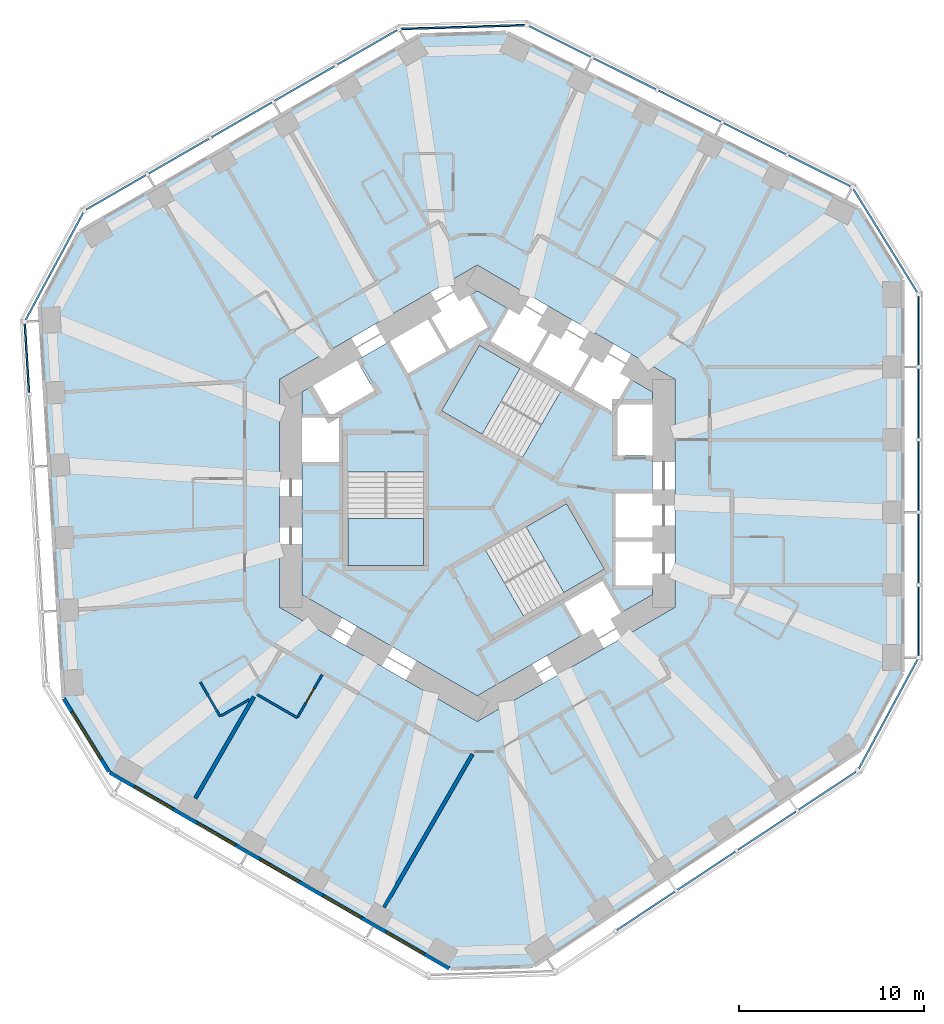
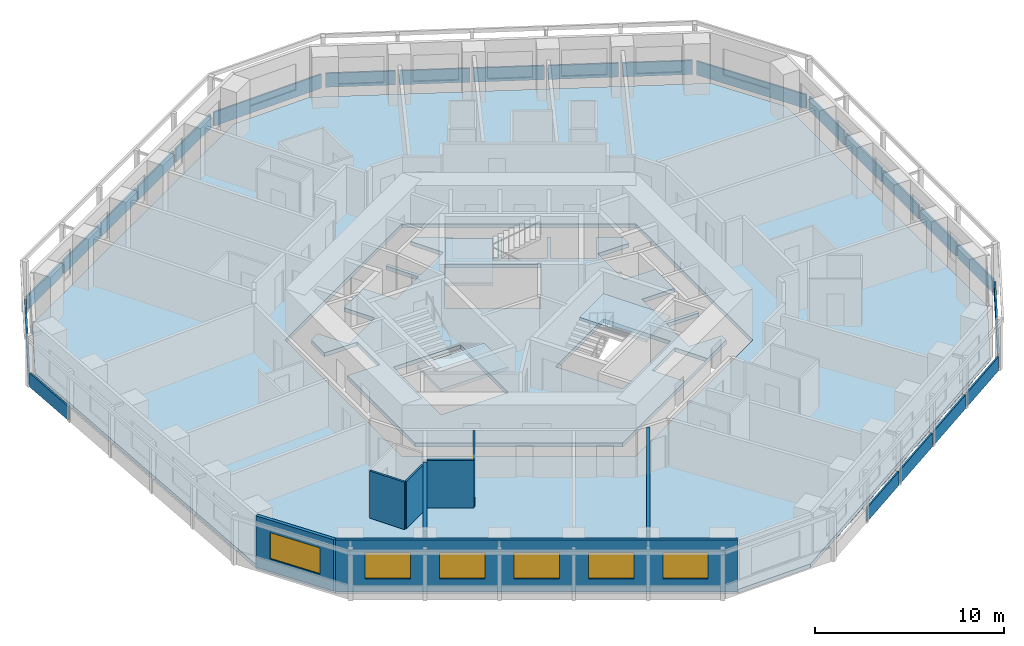
# One storey, part 3 of 12: 24 plates, 8 walls, 6 windows, 5 slabs, 1 door, 7 openings, 12 elements without a shape of their own.
"""IFC4 building model written with IfcOpenShell, lengths in metres."""

from ifc_helpers import new_model, si_unit, direction, frame, frame_2d, origin, origin_2d, place, context, subcontext, project, spatial, polyline, rectangle, outline, extrude, material, layer, layer_set, type_object, element, fill, aggregate, save


model = new_model("IFC4")

# Units and contexts
model_context = context("Model", 3, precision=1e-05, world=origin(), true_north=direction((0.0, 1.0)))
body_context = subcontext(model_context, "Body", "Model", "MODEL_VIEW")
ifc_project = project(units=[si_unit("LENGTHUNIT", "METRE"), si_unit("AREAUNIT", "SQUARE_METRE"), si_unit("VOLUMEUNIT", "CUBIC_METRE"), si_unit("PLANEANGLEUNIT", "RADIAN"), si_unit("MASSUNIT", "GRAM", prefix="KILO")], contexts=[model_context])

# Site, building, storey
site_placement = place(None, origin())
site = spatial("IfcSite", under=ifc_project, at=site_placement, CompositionType="ELEMENT")
building_placement = place(site_placement, origin())
building = spatial("IfcBuilding", under=site, at=building_placement, Name="Vanh Sen Convention Tower", CompositionType="ELEMENT")
storey_placement = place(building_placement, frame((0.0, 0.0, 67.10009765625)))
storey = spatial("IfcBuildingStorey", under=building, at=storey_placement, Name="L14", CompositionType="ELEMENT", Elevation=67.10009765625)

# Slabs
ifc_material_1 = material(Name="Concrete C40/50", Category="concrete")
ifc_layer_1 = layer(ifc_material_1, 0.25)
ifc_layer_set_1 = layer_set([ifc_layer_1], Name="Concrete C40/50")
slab_type_1 = type_object("IfcSlabType", Name="Core slab 250", PredefinedType="FLOOR", material=ifc_layer_set_1)
slab_1_placement = place(storey_placement, frame((0.0, 0.0, -0.25)))
element("IfcSlab", 1, at=slab_1_placement, inside=storey, type_object=slab_type_1, Name="Core slab L14", PredefinedType="FLOOR", context=body_context, shape_type="SweptSolid", body=[
    extrude(outline(polyline([(9.5, 5.48486328125), (9.5, 4.800048828125), (7.60009765625, 4.800048828125), (7.60009765625, 2.050048828125), (9.5, 2.050048828125), (9.5, 0.0), (7.5, 0.0), (7.5, -2.39990234375), (9.5, -2.39990234375), (9.5, -2.60009765625), (7.5, -2.60009765625), (7.5, -5.0), (9.5, -5.0), (9.5, -5.48486328125), (0.0, -10.9697265625), (-9.5, -5.48486328125), (-9.5, 1.699951171875), (-7.5, 1.699951171875), (-7.5, 4.10009765625), (-9.5, 4.10009765625), (-9.5, 5.48486328125), (-8.906982421875, 5.8271484375), (-7.956787109375, 4.181884765625), (-5.575439453125, 5.556884765625), (-6.525390625, 7.2021484375), (-4.75, 8.227294921875), (-3.75, 6.4951171875), (-1.67138671875, 7.6953125), (-2.67138671875, 9.42724609375), (-2.498291015625, 9.527099609375), (-1.498291015625, 7.795166015625), (0.580078125, 8.9951171875), (-0.419921875, 10.727294921875), (0.0, 10.9697265625), (1.718994140625, 9.977294921875), (0.718994140625, 8.2451171875), (2.79736328125, 7.045166015625), (3.79736328125, 8.777099609375), (3.970703125, 8.67724609375), (2.970703125, 6.9453125), (5.049072265625, 5.7451171875), (6.049072265625, 7.477294921875), (6.22216796875, 7.377197265625), (5.22216796875, 5.645263671875), (7.30078125, 4.4453125), (8.30078125, 6.17724609375), (9.5, 5.48486328125)]), holes=[polyline([(-7.0, 3.14990234375), (-7.0, -3.909912109375), (-2.89990234375, -3.909912109375), (-2.89990234375, 3.14990234375), (-2.89990234375, 1.1494140625), (-7.0, 1.1494140625), (-7.0, 3.14990234375)]), polyline([(4.495361328125, 5.487548828125), (6.22802734375, 4.4873046875), (0.11376953125, 8.01708984375), (-1.936279296875, 4.466552734375), (2.4453125, 1.936767578125), (4.495361328125, 5.487548828125)]), polyline([(7.781005859375, -6.477294921875), (6.781005859375, -4.7451171875), (4.70263671875, -5.9453125), (5.70263671875, -7.67724609375), (7.781005859375, -6.477294921875)]), polyline([(0.45458984375, -3.086181640625), (2.504638671875, -6.63671875), (6.88623046875, -4.107177734375), (4.836181640625, -0.556396484375), (-1.278076171875, -4.08642578125), (0.45458984375, -3.086181640625)])]), origin(), (0.0, 0.0, 1.0), 0.25),
])
ifc_layer_2 = layer(ifc_material_1, 0.25)
ifc_layer_set_2 = layer_set([ifc_layer_2], Name="Concrete C40/50")
slab_type_2 = type_object("IfcSlabType", Name="Floor slab 250 REI 120", PredefinedType="FLOOR", material=ifc_layer_set_2)
slab_2_placement = place(storey_placement, frame((0.0, 0.0, -0.25)))
element("IfcSlab", 2, at=slab_2_placement, inside=storey, type_object=slab_type_2, Name="Floor slab L14 tower", PredefinedType="FLOOR", context=body_context, shape_type="SweptSolid", body=[
    extrude(outline(polyline([(23.0, -9.69921875), (23.0, 11.57373046875), (20.620361328125, 15.419189453125), (1.58251953125, 24.911376953125), (-3.10009765625, 24.768310546875), (-21.523193359375, 14.131591796875), (-23.663818359375, 10.14794921875), (-22.364990234375, -11.085205078125), (-19.89990234375, -15.069091796875), (-1.476806640625, -25.705322265625), (3.04345703125, -25.5673828125), (20.78271484375, -13.825927734375), (23.0, -9.69921875)]), holes=[polyline([(0.0, 12.355224609375), (-10.699951171875, 6.177490234375), (-10.699951171875, -6.177490234375), (0.0, -12.355224609375), (10.699951171875, -6.177490234375), (10.699951171875, 6.177490234375), (0.0, 12.355224609375)])]), origin(), (0.0, 0.0, 1.0), 0.25),
])

# Curtain wall, plates
ifc_material_2 = material(Name="Concrete C50/60", Category="concrete")
curtain_wall_type = type_object("IfcCurtainWallType", Name="Outer skin hotel zone", PredefinedType="NOTDEFINED", material=ifc_material_2)
curtain_wall_1_placement = place(storey_placement, origin())
curtain_wall_1 = element("IfcCurtainWall", 3, at=curtain_wall_1_placement, inside=storey, type_object=curtain_wall_type, Name="OUTER SKIN E L14", PredefinedType="NOTDEFINED")
ifc_layer_3 = layer(ifc_material_2, 0.10009765625)
ifc_layer_set_3 = layer_set([ifc_layer_3], Name="Concrete C50/60")
plate_type = type_object("IfcPlateType", Name="Outer skin precast screen panel 100", PredefinedType="CURTAIN_PANEL", material=ifc_layer_set_3)
plate_1_placement = place(storey_placement, frame((23.89990234375, -6.91943359375, 0.0), z_axis=(0.0, 0.0, 1.0), x_axis=(0.0, 1.0, 0.0)))
plate_1 = element("IfcPlate", 4, at=plate_1_placement, type_object=plate_type, Name="OUTER SKIN screen panel E-1", PredefinedType="CURTAIN_PANEL", context=body_context, shape_type="SweptSolid", body=[
    extrude(rectangle(XDim=3.709716796875, YDim=0.10009765625, at=origin_2d()), origin(), (0.0, 0.0, 1.0), 0.89990234375),
])
plate_2_placement = place(storey_placement, frame((23.89990234375, -2.997314453125, 0.0), z_axis=(0.0, 0.0, 1.0), x_axis=(0.0, 1.0, 0.0)))
plate_2 = element("IfcPlate", 5, at=plate_2_placement, type_object=plate_type, Name="OUTER SKIN screen panel E-2", PredefinedType="CURTAIN_PANEL", context=body_context, shape_type="SweptSolid", body=[
    extrude(rectangle(XDim=3.734619140625, YDim=0.10009765625, at=origin_2d()), origin(), (0.0, 0.0, 1.0), 0.89990234375),
])
plate_3_placement = place(storey_placement, frame((23.89990234375, 0.937255859375, 0.0), z_axis=(0.0, 0.0, 1.0), x_axis=(0.0, 1.0, 0.0)))
plate_3 = element("IfcPlate", 6, at=plate_3_placement, type_object=plate_type, Name="OUTER SKIN screen panel E-3", PredefinedType="CURTAIN_PANEL", context=body_context, shape_type="SweptSolid", body=[
    extrude(rectangle(XDim=3.734619140625, YDim=0.10009765625, at=origin_2d()), origin(), (0.0, 0.0, 1.0), 0.89990234375),
])
plate_4_placement = place(storey_placement, frame((23.89990234375, 4.871826171875, 0.0), z_axis=(0.0, 0.0, 1.0), x_axis=(0.0, 1.0, 0.0)))
plate_4 = element("IfcPlate", 7, at=plate_4_placement, type_object=plate_type, Name="OUTER SKIN screen panel E-4", PredefinedType="CURTAIN_PANEL", context=body_context, shape_type="SweptSolid", body=[
    extrude(rectangle(XDim=3.734619140625, YDim=0.10009765625, at=origin_2d()), origin(), (0.0, 0.0, 1.0), 0.89990234375),
])
plate_5_placement = place(storey_placement, frame((23.89990234375, 8.7939453125, 0.0), z_axis=(0.0, 0.0, 1.0), x_axis=(0.0, 1.0, 0.0)))
plate_5 = element("IfcPlate", 8, at=plate_5_placement, type_object=plate_type, Name="OUTER SKIN screen panel E-5", PredefinedType="CURTAIN_PANEL", context=body_context, shape_type="SweptSolid", body=[
    extrude(rectangle(XDim=3.709716796875, YDim=0.10009765625, at=origin_2d()), origin(), (0.0, 0.0, 1.0), 0.89990234375),
])
aggregate(curtain_wall_1, [plate_1, plate_2, plate_3, plate_4, plate_5])

# Curtain wall, plate
curtain_wall_2_placement = place(storey_placement, origin())
curtain_wall_2 = element("IfcCurtainWall", 9, at=curtain_wall_2_placement, inside=storey, type_object=curtain_wall_type, Name="OUTER SKIN CH1 L14", PredefinedType="NOTDEFINED")
plate_6_placement = place(storey_placement, frame((22.102783203125, 13.677734375, 0.0), z_axis=(0.0, 0.0, 1.0), x_axis=(-0.526212439506, 0.850353143411, 0.0)))
plate_6 = element("IfcPlate", 10, at=plate_6_placement, type_object=plate_type, Name="OUTER SKIN screen panel CH1-1", PredefinedType="CURTAIN_PANEL", context=body_context, shape_type="SweptSolid", body=[
    extrude(rectangle(XDim=6.580078125, YDim=0.10009765625, at=origin_2d()), origin(), (0.0, 0.0, 1.0), 0.89990234375),
])
aggregate(curtain_wall_2, [plate_6])

# Curtain wall, plates
curtain_wall_3_placement = place(storey_placement, origin())
curtain_wall_3 = element("IfcCurtainWall", 11, at=curtain_wall_3_placement, inside=storey, type_object=curtain_wall_type, Name="OUTER SKIN NE L14", PredefinedType="NOTDEFINED")
plate_7_placement = place(storey_placement, frame((18.5341796875, 17.465087890625, 0.0), z_axis=(0.0, 0.0, 1.0), x_axis=(-0.894935140363, 0.446196251154, 0.0)))
plate_7 = element("IfcPlate", 12, at=plate_7_placement, type_object=plate_type, Name="OUTER SKIN screen panel NE-1", PredefinedType="CURTAIN_PANEL", context=body_context, shape_type="SweptSolid", body=[
    extrude(rectangle(XDim=3.709716796875, YDim=0.10009765625, at=origin_2d()), origin(), (0.0, 0.0, 1.0), 0.89990234375),
])
plate_8_placement = place(storey_placement, frame((15.024169921875, 19.215087890625, 0.0), z_axis=(0.0, 0.0, 1.0), x_axis=(-0.894935140363, 0.446196251154, 0.0)))
plate_8 = element("IfcPlate", 13, at=plate_8_placement, type_object=plate_type, Name="OUTER SKIN screen panel NE-2", PredefinedType="CURTAIN_PANEL", context=body_context, shape_type="SweptSolid", body=[
    extrude(rectangle(XDim=3.734619140625, YDim=0.10009765625, at=origin_2d()), origin(), (0.0, 0.0, 1.0), 0.89990234375),
])
plate_9_placement = place(storey_placement, frame((11.5029296875, 20.970703125, 0.0), z_axis=(0.0, 0.0, 1.0), x_axis=(-0.894935140363, 0.446196251154, 0.0)))
plate_9 = element("IfcPlate", 14, at=plate_9_placement, type_object=plate_type, Name="OUTER SKIN screen panel NE-3", PredefinedType="CURTAIN_PANEL", context=body_context, shape_type="SweptSolid", body=[
    extrude(rectangle(XDim=3.734619140625, YDim=0.10009765625, at=origin_2d()), origin(), (0.0, 0.0, 1.0), 0.89990234375),
])
plate_10_placement = place(storey_placement, frame((7.981689453125, 22.726318359375, 0.0), z_axis=(0.0, 0.0, 1.0), x_axis=(-0.894935140363, 0.446196251154, 0.0)))
plate_10 = element("IfcPlate", 15, at=plate_10_placement, type_object=plate_type, Name="OUTER SKIN screen panel NE-4", PredefinedType="CURTAIN_PANEL", context=body_context, shape_type="SweptSolid", body=[
    extrude(rectangle(XDim=3.734619140625, YDim=0.10009765625, at=origin_2d()), origin(), (0.0, 0.0, 1.0), 0.89990234375),
])
plate_11_placement = place(storey_placement, frame((4.4716796875, 24.476318359375, 0.0), z_axis=(0.0, 0.0, 1.0), x_axis=(-0.894935140363, 0.446196251154, 0.0)))
plate_11 = element("IfcPlate", 16, at=plate_11_placement, type_object=plate_type, Name="OUTER SKIN screen panel NE-5", PredefinedType="CURTAIN_PANEL", context=body_context, shape_type="SweptSolid", body=[
    extrude(rectangle(XDim=3.709716796875, YDim=0.10009765625, at=origin_2d()), origin(), (0.0, 0.0, 1.0), 0.89990234375),
])
aggregate(curtain_wall_3, [plate_7, plate_8, plate_9, plate_10, plate_11])

# Curtain wall, plate
curtain_wall_4_placement = place(storey_placement, origin())
curtain_wall_4 = element("IfcCurtainWall", 17, at=curtain_wall_4_placement, inside=storey, type_object=curtain_wall_type, Name="OUTER SKIN CH2 L14", PredefinedType="NOTDEFINED")
plate_12_placement = place(storey_placement, frame((-0.771484375, 25.253662109375, 0.0), z_axis=(0.0, 0.0, 1.0), x_axis=(-0.999533644135, -0.030536768695, 0.0)))
plate_12 = element("IfcPlate", 18, at=plate_12_placement, type_object=plate_type, Name="OUTER SKIN screen panel CH2-1", PredefinedType="CURTAIN_PANEL", context=body_context, shape_type="SweptSolid", body=[
    extrude(rectangle(XDim=6.696044921875, YDim=0.10009765625, at=origin_2d()), origin(), (0.0, 0.0, 1.0), 0.89990234375),
])
aggregate(curtain_wall_4, [plate_12])

# Curtain wall, plates
curtain_wall_5_placement = place(storey_placement, origin())
curtain_wall_5 = element("IfcCurtainWall", 19, at=curtain_wall_5_placement, inside=storey, type_object=curtain_wall_type, Name="OUTER SKIN NW L14", PredefinedType="NOTDEFINED")
plate_13_placement = place(storey_placement, frame((-5.95751953125, 24.15771484375, 0.0), z_axis=(0.0, 0.0, 1.0), x_axis=(-0.866028021766, -0.499995465495, 0.0)))
plate_13 = element("IfcPlate", 20, at=plate_13_placement, type_object=plate_type, Name="OUTER SKIN screen panel NW-1", PredefinedType="CURTAIN_PANEL", context=body_context, shape_type="SweptSolid", body=[
    extrude(rectangle(XDim=3.709716796875, YDim=0.10009765625, at=origin_2d()), origin(), (0.0, 0.0, 1.0), 0.89990234375),
])
plate_14_placement = place(storey_placement, frame((-9.354248046875, 22.19677734375, 0.0), z_axis=(0.0, 0.0, 1.0), x_axis=(-0.866021040428, -0.500007557478, 0.0)))
plate_14 = element("IfcPlate", 21, at=plate_14_placement, type_object=plate_type, Name="OUTER SKIN screen panel NW-2", PredefinedType="CURTAIN_PANEL", context=body_context, shape_type="SweptSolid", body=[
    extrude(rectangle(XDim=3.734619140625, YDim=0.10009765625, at=origin_2d()), origin(), (0.0, 0.0, 1.0), 0.89990234375),
])
plate_15_placement = place(storey_placement, frame((-12.76171875, 20.2294921875, 0.0), z_axis=(0.0, 0.0, 1.0), x_axis=(-0.866028021766, -0.499995465495, 0.0)))
plate_15 = element("IfcPlate", 22, at=plate_15_placement, type_object=plate_type, Name="OUTER SKIN screen panel NW-3", PredefinedType="CURTAIN_PANEL", context=body_context, shape_type="SweptSolid", body=[
    extrude(rectangle(XDim=3.734619140625, YDim=0.10009765625, at=origin_2d()), origin(), (0.0, 0.0, 1.0), 0.89990234375),
])
plate_16_placement = place(storey_placement, frame((-16.169189453125, 18.26220703125, 0.0), z_axis=(0.0, 0.0, 1.0), x_axis=(-0.866028021766, -0.499995465495, 0.0)))
plate_16 = element("IfcPlate", 23, at=plate_16_placement, type_object=plate_type, Name="OUTER SKIN screen panel NW-4", PredefinedType="CURTAIN_PANEL", context=body_context, shape_type="SweptSolid", body=[
    extrude(rectangle(XDim=3.734619140625, YDim=0.10009765625, at=origin_2d()), origin(), (0.0, 0.0, 1.0), 0.89990234375),
])
plate_17_placement = place(storey_placement, frame((-19.56591796875, 16.301025390625, 0.0), z_axis=(0.0, 0.0, 1.0), x_axis=(-0.866021040428, -0.500007557478, 0.0)))
plate_17 = element("IfcPlate", 24, at=plate_17_placement, type_object=plate_type, Name="OUTER SKIN screen panel NW-5", PredefinedType="CURTAIN_PANEL", context=body_context, shape_type="SweptSolid", body=[
    extrude(rectangle(XDim=3.70947265625, YDim=0.10009765625, at=origin_2d()), origin(), (0.0, 0.0, 1.0), 0.89990234375),
])
aggregate(curtain_wall_5, [plate_13, plate_14, plate_15, plate_16, plate_17])

# Curtain wall, plate
curtain_wall_6_placement = place(storey_placement, origin())
curtain_wall_6 = element("IfcCurtainWall", 25, at=curtain_wall_6_placement, inside=storey, type_object=curtain_wall_type, Name="OUTER SKIN CH3 L14", PredefinedType="NOTDEFINED")
plate_18_placement = place(storey_placement, frame((-22.896728515625, 12.302978515625, 0.0), z_axis=(0.0, 0.0, 1.0), x_axis=(-0.47331812974, -0.880891564303, 0.0)))
plate_18 = element("IfcPlate", 26, at=plate_18_placement, type_object=plate_type, Name="OUTER SKIN screen panel CH3-1", PredefinedType="CURTAIN_PANEL", context=body_context, shape_type="SweptSolid", body=[
    extrude(rectangle(XDim=6.580078125, YDim=0.10009765625, at=origin_2d()), origin(), (0.0, 0.0, 1.0), 0.89990234375),
])
aggregate(curtain_wall_6, [plate_18])

curtain_wall_7_placement = place(storey_placement, origin())
curtain_wall_7 = element("IfcCurtainWall", 27, at=curtain_wall_7_placement, inside=storey, type_object=curtain_wall_type, Name="OUTER SKIN W L14", PredefinedType="NOTDEFINED")
plate_19_placement = place(storey_placement, frame((-24.39208984375, 7.318603515625, 0.0), z_axis=(0.0, 0.0, 1.0), x_axis=(0.061046797461, -0.99813490497, 0.0)))
plate_19 = element("IfcPlate", 28, at=plate_19_placement, type_object=plate_type, Name="OUTER SKIN screen panel W-1", PredefinedType="CURTAIN_PANEL", context=body_context, shape_type="SweptSolid", body=[
    extrude(rectangle(XDim=3.709716796875, YDim=0.10009765625, at=origin_2d()), origin(), (0.0, 0.0, 1.0), 0.89990234375),
])
aggregate(curtain_wall_7, [plate_19])

# Curtain wall, plates
curtain_wall_8_placement = place(storey_placement, origin())
curtain_wall_8 = element("IfcCurtainWall", 29, at=curtain_wall_8_placement, inside=storey, type_object=curtain_wall_type, Name="OUTER SKIN SE L14", PredefinedType="NOTDEFINED")
plate_20_placement = place(storey_placement, frame((9.128662109375, -22.618896484375, 0.0), z_axis=(0.0, 0.0, 1.0), x_axis=(0.833891601892, 0.55192825285, 0.0)))
plate_20 = element("IfcPlate", 30, at=plate_20_placement, type_object=plate_type, Name="OUTER SKIN screen panel SE-2", PredefinedType="CURTAIN_PANEL", context=body_context, shape_type="SweptSolid", body=[
    extrude(rectangle(XDim=3.734619140625, YDim=0.10009765625, at=origin_2d()), origin(), (0.0, 0.0, 1.0), 0.89990234375),
])
plate_21_placement = place(storey_placement, frame((12.40966796875, -20.447265625, 0.0), z_axis=(0.0, 0.0, 1.0), x_axis=(0.833880042151, 0.551945717714, 0.0)))
plate_21 = element("IfcPlate", 31, at=plate_21_placement, type_object=plate_type, Name="OUTER SKIN screen panel SE-3", PredefinedType="CURTAIN_PANEL", context=body_context, shape_type="SweptSolid", body=[
    extrude(rectangle(XDim=3.734619140625, YDim=0.10009765625, at=origin_2d()), origin(), (0.0, 0.0, 1.0), 0.89990234375),
])
plate_22_placement = place(storey_placement, frame((15.690673828125, -18.275390625, 0.0), z_axis=(0.0, 0.0, 1.0), x_axis=(0.833891601892, 0.55192825285, 0.0)))
plate_22 = element("IfcPlate", 32, at=plate_22_placement, type_object=plate_type, Name="OUTER SKIN screen panel SE-4", PredefinedType="CURTAIN_PANEL", context=body_context, shape_type="SweptSolid", body=[
    extrude(rectangle(XDim=3.734619140625, YDim=0.10009765625, at=origin_2d()), origin(), (0.0, 0.0, 1.0), 0.89990234375),
])
plate_23_placement = place(storey_placement, frame((18.961181640625, -16.11083984375, 0.0), z_axis=(0.0, 0.0, 1.0), x_axis=(0.833880042151, 0.551945717714, 0.0)))
plate_23 = element("IfcPlate", 33, at=plate_23_placement, type_object=plate_type, Name="OUTER SKIN screen panel SE-5", PredefinedType="CURTAIN_PANEL", context=body_context, shape_type="SweptSolid", body=[
    extrude(rectangle(XDim=3.709716796875, YDim=0.10009765625, at=origin_2d()), origin(), (0.0, 0.0, 1.0), 0.89990234375),
])
aggregate(curtain_wall_8, [plate_20, plate_21, plate_22, plate_23])

# Curtain wall, plate
curtain_wall_9_placement = place(storey_placement, origin())
curtain_wall_9 = element("IfcCurtainWall", 34, at=curtain_wall_9_placement, inside=storey, type_object=curtain_wall_type, Name="OUTER SKIN CH6 L14", PredefinedType="NOTDEFINED")
plate_24_placement = place(storey_placement, frame((22.256103515625, -11.95849609375, 0.0), z_axis=(0.0, 0.0, 1.0), x_axis=(0.473322742071, 0.880889086003, 0.0)))
plate_24 = element("IfcPlate", 35, at=plate_24_placement, type_object=plate_type, Name="OUTER SKIN screen panel CH6-1", PredefinedType="CURTAIN_PANEL", context=body_context, shape_type="SweptSolid", body=[
    extrude(rectangle(XDim=6.6962890625, YDim=0.10009765625, at=origin_2d()), origin(), (0.0, 0.0, 1.0), 0.89990234375),
])
aggregate(curtain_wall_9, [plate_24])

# Stair, slab
ifc_material_3 = material(Name="Concrete C50/60", Category="concrete")
stair_type_1 = type_object("IfcStairType", Name="Exit stair ST1 20 risers at 165.0", PredefinedType="HALF_TURN_STAIR", material=ifc_material_3)
stair_1_placement = place(storey_placement, origin())
stair_1 = element("IfcStair", 36, at=stair_1_placement, inside=storey, type_object=stair_type_1, Name="Exit stair ST1 L14", PredefinedType="HALF_TURN_STAIR")
ifc_layer_4 = layer(ifc_material_1, 0.199951171875)
ifc_layer_set_4 = layer_set([ifc_layer_4], Name="Concrete C40/50")
slab_type_3 = type_object("IfcSlabType", Name="Stair landing 200", PredefinedType="LANDING", material=ifc_layer_set_4)
slab_3_placement = place(storey_placement, frame((0.0, 0.0, 1.449951171875)))
slab_3 = element("IfcSlab", 37, at=slab_3_placement, type_object=slab_type_3, Name="ST1 landing 1", PredefinedType="LANDING", context=body_context, shape_type="SweptSolid", body=[
    extrude(outline(polyline([(2.314208984375, 6.746826171875), (0.11376953125, 8.01708984375), (-1.936279296875, 4.466552734375), (0.26416015625, 3.196044921875), (2.314208984375, 6.746826171875)])), origin(), (0.0, 0.0, 1.0), 0.199951171875),
])
aggregate(stair_1, [slab_3])

stair_type_2 = type_object("IfcStairType", Name="Exit stair ST2 20 risers at 165.0", PredefinedType="HALF_TURN_STAIR", material=ifc_material_3)
stair_2_placement = place(storey_placement, origin())
stair_2 = element("IfcStair", 38, at=stair_2_placement, inside=storey, type_object=stair_type_2, Name="Exit stair ST2 L14", PredefinedType="HALF_TURN_STAIR")
slab_4_placement = place(storey_placement, frame((0.0, 0.0, 1.449951171875)))
slab_4 = element("IfcSlab", 39, at=slab_4_placement, type_object=slab_type_3, Name="ST2 landing 1", PredefinedType="LANDING", context=body_context, shape_type="SweptSolid", body=[
    extrude(outline(polyline([(-7.0, -1.369384765625), (-7.0, -3.909912109375), (-2.89990234375, -3.909912109375), (-2.89990234375, -1.369384765625), (-7.0, -1.369384765625)])), origin(), (0.0, 0.0, 1.0), 0.199951171875),
])
aggregate(stair_2, [slab_4])

stair_type_3 = type_object("IfcStairType", Name="Exit stair ST3 20 risers at 165.0", PredefinedType="HALF_TURN_STAIR", material=ifc_material_3)
stair_3_placement = place(storey_placement, origin())
stair_3 = element("IfcStair", 40, at=stair_3_placement, inside=storey, type_object=stair_type_3, Name="Exit stair ST3 L14", PredefinedType="HALF_TURN_STAIR")
slab_5_placement = place(storey_placement, frame((0.0, 0.0, 1.449951171875)))
slab_5 = element("IfcSlab", 41, at=slab_5_placement, type_object=slab_type_3, Name="ST3 landing 1", PredefinedType="LANDING", context=body_context, shape_type="SweptSolid", body=[
    extrude(outline(polyline([(4.685791015625, -5.37744140625), (6.88623046875, -4.107177734375), (4.836181640625, -0.556396484375), (2.6357421875, -1.826904296875), (4.685791015625, -5.37744140625)])), origin(), (0.0, 0.0, 1.0), 0.199951171875),
])
aggregate(stair_3, [slab_5])

# Walls
ifc_material_4 = material(Name="Moisture-resistant gypsum board on steel studs", Category="steel")
ifc_layer_5 = layer(ifc_material_4, 0.1201171875)
ifc_layer_set_5 = layer_set([ifc_layer_5], Name="Moisture-resistant gypsum board on steel studs")
wall_type_1 = type_object("IfcWallType", Name="Bathroom partition 120", PredefinedType="PARTITIONING", material=ifc_layer_set_5)
wall_1_placement = place(storey_placement, frame((-13.92578125, -12.081298828125, 0.0), z_axis=(0.0, 0.0, 1.0), x_axis=(-0.499992422807, 0.866029778435, 0.0)))
element("IfcWall", 42, at=wall_1_placement, inside=storey, type_object=wall_type_1, Name="Bathroom partition 120", PredefinedType="PARTITIONING", context=body_context, shape_type="SweptSolid", body=[
    extrude(rectangle(XDim=2.1396484375, YDim=0.1201171875, at=frame_2d((1.06982421875, 0.0))), origin(), (0.0, 0.0, 1.0), 3.0498046875),
])
wall_2_placement = place(storey_placement, frame((-12.341552734375, -11.166748046875, 0.0), z_axis=(0.0, 0.0, 1.0), x_axis=(-0.865992557167, -0.500056887695, 0.0)))
element("IfcWall", 43, at=wall_2_placement, inside=storey, type_object=wall_type_1, Name="Bathroom partition 120", PredefinedType="PARTITIONING", context=body_context, shape_type="SweptSolid", body=[
    extrude(rectangle(XDim=1.769287109375, YDim=0.1201171875, at=frame_2d((0.884765625, 0.0))), origin(), (0.0, 0.0, 1.0), 3.0498046875),
])
wall_3_placement = place(storey_placement, frame((-9.747802734375, -12.154541015625, 0.0), z_axis=(0.0, 0.0, 1.0), x_axis=(-0.866022959057, 0.500004234368, 0.0)))
element("IfcWall", 44, at=wall_3_placement, inside=storey, type_object=wall_type_1, Name="Bathroom partition 120", PredefinedType="PARTITIONING", context=body_context, shape_type="SweptSolid", body=[
    extrude(rectangle(XDim=2.5, YDim=0.1201171875, at=frame_2d((1.25, 0.0))), origin(), (0.0, 0.0, 1.0), 3.0498046875),
])

# Wall, opening, door
wall_4_placement = place(storey_placement, frame((-8.397705078125, -9.816162109375, 0.0), z_axis=(0.0, 0.0, 1.0), x_axis=(-0.500007957085, -0.86602080971, 0.0)))
wall_4 = element("IfcWall", 45, at=wall_4_placement, inside=storey, type_object=wall_type_1, Name="Bathroom partition 120", PredefinedType="PARTITIONING", context=body_context, shape_type="SweptSolid", body=[
    extrude(rectangle(XDim=2.64013671875, YDim=0.1201171875, at=frame_2d((1.320068359375, 0.0))), origin(), (0.0, 0.0, 1.0), 3.0498046875),
])
opening_1_placement = place(wall_4_placement, frame((0.8701171875, 0.0, 0.0)))
opening_1 = element("IfcOpeningElement", 46, at=opening_1_placement, cuts=wall_4, Name="Opening D13125", PredefinedType="OPENING", context=body_context, shape_type="SweptSolid", body=[
    extrude(rectangle(XDim=0.89990234375, YDim=2.10009765625, at=frame_2d((0.449951171875, 1.050048828125))), frame((0.0, 0.070068359375, 0.0), z_axis=(0.0, -1.0, 0.0), x_axis=(1.0, 0.0, 0.0)), (0.0, 0.0, 1.0), 0.14013671875),
])
ifc_material_5 = material(Name="Laminate door in steel frame", Category="steel")
door_type = type_object("IfcDoorType", Name="En-suite door 900", OperationType="SINGLE_SWING_LEFT", PredefinedType="DOOR", material=ifc_material_5)
door_placement = place(opening_1_placement, origin())
door = element("IfcDoor", 47, at=door_placement, inside=storey, type_object=door_type, Name="En-suite door D13125", OperationType="SINGLE_SWING_LEFT", OverallHeight=2.10009765625, OverallWidth=0.89990234375, PredefinedType="DOOR", context=body_context, shape_type="SweptSolid", body=[
    extrude(rectangle(XDim=0.89990234375, YDim=2.10009765625, at=frame_2d((0.449951171875, 1.050048828125))), frame((0.0, 0.02490234375, 0.0), z_axis=(0.0, -1.0, 0.0), x_axis=(1.0, 0.0, 0.0)), (0.0, 0.0, 1.0), 0.050048828125),
])
fill(opening_1, door)

# Wall, opening, window
ifc_material_6 = material(Name="Insulated lightweight infill wall")
ifc_layer_6 = layer(ifc_material_6, 0.199951171875)
ifc_layer_set_6 = layer_set([ifc_layer_6], Name="Insulated lightweight infill wall")
wall_type_2 = type_object("IfcWallType", Name="External wall 200", PredefinedType="STANDARD", material=ifc_layer_set_6)
wall_5_placement = place(storey_placement, frame((-22.40087890625, -11.122314453125, 0.0), z_axis=(0.0, 0.0, 1.0), x_axis=(0.526197679914, -0.850362276711, 0.0)))
wall_5 = element("IfcWall", 48, at=wall_5_placement, inside=storey, type_object=wall_type_2, Name="External wall CH4 L14", PredefinedType="STANDARD", context=body_context, shape_type="SweptSolid", body=[
    extrude(rectangle(XDim=4.65966796875, YDim=0.199951171875, at=frame_2d((2.329833984375, 0.0))), origin(), (0.0, 0.0, 1.0), 3.2998046875),
])
opening_2_placement = place(wall_5_placement, frame((0.829833984375, 0.0, 0.800048828125)))
opening_2 = element("IfcOpeningElement", 49, at=opening_2_placement, cuts=wall_5, Name="Opening WH2-CH41", PredefinedType="OPENING", context=body_context, shape_type="SweptSolid", body=[
    extrude(rectangle(XDim=3.0, YDim=1.699951171875, at=frame_2d((1.5, 0.85009765625))), frame((0.0, 0.10986328125, 0.0), z_axis=(0.0, -1.0, 0.0), x_axis=(1.0, 0.0, 0.0)), (0.0, 0.0, 1.0), 0.219970703125),
])
ifc_material_7 = material(Name="Aluminium frame with clear low-emissivity glass", Category="aluminium")
window_type_1 = type_object("IfcWindowType", Name="Hotel window 3000 x 1700", PartitioningType="SINGLE_PANEL", PredefinedType="WINDOW", material=ifc_material_7)
window_1_placement = place(opening_2_placement, origin())
window_1 = element("IfcWindow", 50, at=window_1_placement, inside=storey, type_object=window_type_1, Name="Window WH2-CH41", OverallHeight=1.699951171875, OverallWidth=3.0, PartitioningType="SINGLE_PANEL", PredefinedType="WINDOW", context=body_context, shape_type="SweptSolid", body=[
    extrude(rectangle(XDim=3.0, YDim=1.699951171875, at=frame_2d((1.5, 0.85009765625))), frame((0.0, 0.030029296875, 0.0), z_axis=(0.0, -1.0, 0.0), x_axis=(1.0, 0.0, 0.0)), (0.0, 0.0, 1.0), 0.06005859375),
])
fill(opening_2, window_1)

# Wall, openings, windows
wall_6_placement = place(storey_placement, frame((-19.913818359375, -15.11865234375, 0.0), z_axis=(0.0, 0.0, 1.0), x_axis=(0.866025418898, -0.499999973822, 0.0)))
wall_6 = element("IfcWall", 51, at=wall_6_placement, inside=storey, type_object=wall_type_2, Name="External wall SW L14", PredefinedType="STANDARD", context=body_context, shape_type="SweptSolid", body=[
    extrude(rectangle(XDim=21.24609375, YDim=0.199951171875, at=frame_2d((10.623046875, 0.0))), origin(), (0.0, 0.0, 1.0), 3.2998046875),
])
opening_3_placement = place(wall_6_placement, frame((1.5546875, 0.0, 0.800048828125)))
opening_3 = element("IfcOpeningElement", 52, at=opening_3_placement, cuts=wall_6, Name="Opening WH1-SW1", PredefinedType="OPENING", context=body_context, shape_type="SweptSolid", body=[
    extrude(rectangle(XDim=2.39990234375, YDim=1.699951171875, at=frame_2d((1.199951171875, 0.85009765625))), frame((0.0, 0.10986328125, 0.0), z_axis=(0.0, -1.0, 0.0), x_axis=(1.0, 0.0, 0.0)), (0.0, 0.0, 1.0), 0.219970703125),
])
opening_4_placement = place(wall_6_placement, frame((5.4892578125, 0.0, 0.800048828125)))
opening_4 = element("IfcOpeningElement", 53, at=opening_4_placement, cuts=wall_6, Name="Opening WH1-SW2", PredefinedType="OPENING", context=body_context, shape_type="SweptSolid", body=[
    extrude(rectangle(XDim=2.39990234375, YDim=1.699951171875, at=frame_2d((1.199951171875, 0.85009765625))), frame((0.0, 0.10986328125, 0.0), z_axis=(0.0, -1.0, 0.0), x_axis=(1.0, 0.0, 0.0)), (0.0, 0.0, 1.0), 0.219970703125),
])
opening_5_placement = place(wall_6_placement, frame((9.423828125, 0.0, 0.800048828125)))
opening_5 = element("IfcOpeningElement", 54, at=opening_5_placement, cuts=wall_6, Name="Opening WH1-SW3", PredefinedType="OPENING", context=body_context, shape_type="SweptSolid", body=[
    extrude(rectangle(XDim=2.39990234375, YDim=1.699951171875, at=frame_2d((1.199951171875, 0.85009765625))), frame((0.0, 0.10986328125, 0.0), z_axis=(0.0, -1.0, 0.0), x_axis=(1.0, 0.0, 0.0)), (0.0, 0.0, 1.0), 0.219970703125),
])
opening_6_placement = place(wall_6_placement, frame((13.3583984375, 0.0, 0.800048828125)))
opening_6 = element("IfcOpeningElement", 55, at=opening_6_placement, cuts=wall_6, Name="Opening WH1-SW4", PredefinedType="OPENING", context=body_context, shape_type="SweptSolid", body=[
    extrude(rectangle(XDim=2.39990234375, YDim=1.699951171875, at=frame_2d((1.199951171875, 0.85009765625))), frame((0.0, 0.10986328125, 0.0), z_axis=(0.0, -1.0, 0.0), x_axis=(1.0, 0.0, 0.0)), (0.0, 0.0, 1.0), 0.219970703125),
])
opening_7_placement = place(wall_6_placement, frame((17.293212890625, 0.0, 0.800048828125)))
opening_7 = element("IfcOpeningElement", 56, at=opening_7_placement, cuts=wall_6, Name="Opening WH1-SW5", PredefinedType="OPENING", context=body_context, shape_type="SweptSolid", body=[
    extrude(rectangle(XDim=2.39990234375, YDim=1.699951171875, at=frame_2d((1.199951171875, 0.85009765625))), frame((0.0, 0.10986328125, 0.0), z_axis=(0.0, -1.0, 0.0), x_axis=(1.0, 0.0, 0.0)), (0.0, 0.0, 1.0), 0.219970703125),
])
window_type_2 = type_object("IfcWindowType", Name="Hotel window 2400 x 1700", PartitioningType="SINGLE_PANEL", PredefinedType="WINDOW", material=ifc_material_7)
window_2_placement = place(opening_3_placement, origin())
window_2 = element("IfcWindow", 57, at=window_2_placement, inside=storey, type_object=window_type_2, Name="Window WH1-SW1", OverallHeight=1.699951171875, OverallWidth=2.39990234375, PartitioningType="SINGLE_PANEL", PredefinedType="WINDOW", context=body_context, shape_type="SweptSolid", body=[
    extrude(rectangle(XDim=2.39990234375, YDim=1.699951171875, at=frame_2d((1.199951171875, 0.85009765625))), frame((0.0, 0.030029296875, 0.0), z_axis=(0.0, -1.0, 0.0), x_axis=(1.0, 0.0, 0.0)), (0.0, 0.0, 1.0), 0.06005859375),
])
fill(opening_3, window_2)
window_3_placement = place(opening_4_placement, origin())
window_3 = element("IfcWindow", 58, at=window_3_placement, inside=storey, type_object=window_type_2, Name="Window WH1-SW2", OverallHeight=1.699951171875, OverallWidth=2.39990234375, PartitioningType="SINGLE_PANEL", PredefinedType="WINDOW", context=body_context, shape_type="SweptSolid", body=[
    extrude(rectangle(XDim=2.39990234375, YDim=1.699951171875, at=frame_2d((1.199951171875, 0.85009765625))), frame((0.0, 0.030029296875, 0.0), z_axis=(0.0, -1.0, 0.0), x_axis=(1.0, 0.0, 0.0)), (0.0, 0.0, 1.0), 0.06005859375),
])
fill(opening_4, window_3)
window_4_placement = place(opening_5_placement, origin())
window_4 = element("IfcWindow", 59, at=window_4_placement, inside=storey, type_object=window_type_2, Name="Window WH1-SW3", OverallHeight=1.699951171875, OverallWidth=2.39990234375, PartitioningType="SINGLE_PANEL", PredefinedType="WINDOW", context=body_context, shape_type="SweptSolid", body=[
    extrude(rectangle(XDim=2.39990234375, YDim=1.699951171875, at=frame_2d((1.199951171875, 0.85009765625))), frame((0.0, 0.030029296875, 0.0), z_axis=(0.0, -1.0, 0.0), x_axis=(1.0, 0.0, 0.0)), (0.0, 0.0, 1.0), 0.06005859375),
])
fill(opening_5, window_4)
window_5_placement = place(opening_6_placement, origin())
window_5 = element("IfcWindow", 60, at=window_5_placement, inside=storey, type_object=window_type_2, Name="Window WH1-SW4", OverallHeight=1.699951171875, OverallWidth=2.39990234375, PartitioningType="SINGLE_PANEL", PredefinedType="WINDOW", context=body_context, shape_type="SweptSolid", body=[
    extrude(rectangle(XDim=2.39990234375, YDim=1.699951171875, at=frame_2d((1.199951171875, 0.85009765625))), frame((0.0, 0.030029296875, 0.0), z_axis=(0.0, -1.0, 0.0), x_axis=(1.0, 0.0, 0.0)), (0.0, 0.0, 1.0), 0.06005859375),
])
fill(opening_6, window_5)
window_6_placement = place(opening_7_placement, origin())
window_6 = element("IfcWindow", 61, at=window_6_placement, inside=storey, type_object=window_type_2, Name="Window WH1-SW5", OverallHeight=1.699951171875, OverallWidth=2.39990234375, PartitioningType="SINGLE_PANEL", PredefinedType="WINDOW", context=body_context, shape_type="SweptSolid", body=[
    extrude(rectangle(XDim=2.39990234375, YDim=1.699951171875, at=frame_2d((1.199951171875, 0.85009765625))), frame((0.0, 0.030029296875, 0.0), z_axis=(0.0, -1.0, 0.0), x_axis=(1.0, 0.0, 0.0)), (0.0, 0.0, 1.0), 0.06005859375),
])
fill(opening_7, window_6)

# Walls
ifc_material_8 = material(Name="Gypsum board on steel studs with mineral wool", Category="steel")
ifc_layer_7 = layer(ifc_material_8, 0.199951171875)
ifc_layer_set_7 = layer_set([ifc_layer_7], Name="Gypsum board on steel studs with mineral wool")
wall_type_3 = type_object("IfcWallType", Name="Hotel party wall 200", PredefinedType="PARTITIONING", material=ifc_layer_set_7)
wall_7_placement = place(storey_placement, frame((-15.2744140625, -16.527099609375, 0.0), z_axis=(0.0, 0.0, 1.0), x_axis=(0.499995225238, 0.866028160477, 0.0)))
element("IfcWall", 62, at=wall_7_placement, inside=storey, type_object=wall_type_3, Name="Hotel party wall 200", PredefinedType="PARTITIONING", context=body_context, shape_type="SweptSolid", body=[
    extrude(rectangle(XDim=6.35302734375, YDim=0.199951171875, at=frame_2d((3.176513671875, 0.0))), origin(), (0.0, 0.0, 1.0), 3.0498046875),
])
wall_8_placement = place(storey_placement, frame((-5.052001953125, -22.4287109375, 0.0), z_axis=(0.0, 0.0, 1.0), x_axis=(0.500004329283, 0.866022904257, 0.0)))
element("IfcWall", 63, at=wall_8_placement, inside=storey, type_object=wall_type_3, Name="Hotel party wall 200", PredefinedType="PARTITIONING", context=body_context, shape_type="SweptSolid", body=[
    extrude(rectangle(XDim=9.57177734375, YDim=0.199951171875, at=frame_2d((4.785888671875, 0.0))), origin(), (0.0, 0.0, 1.0), 3.0498046875),
])

save(model, "model.ifc")
